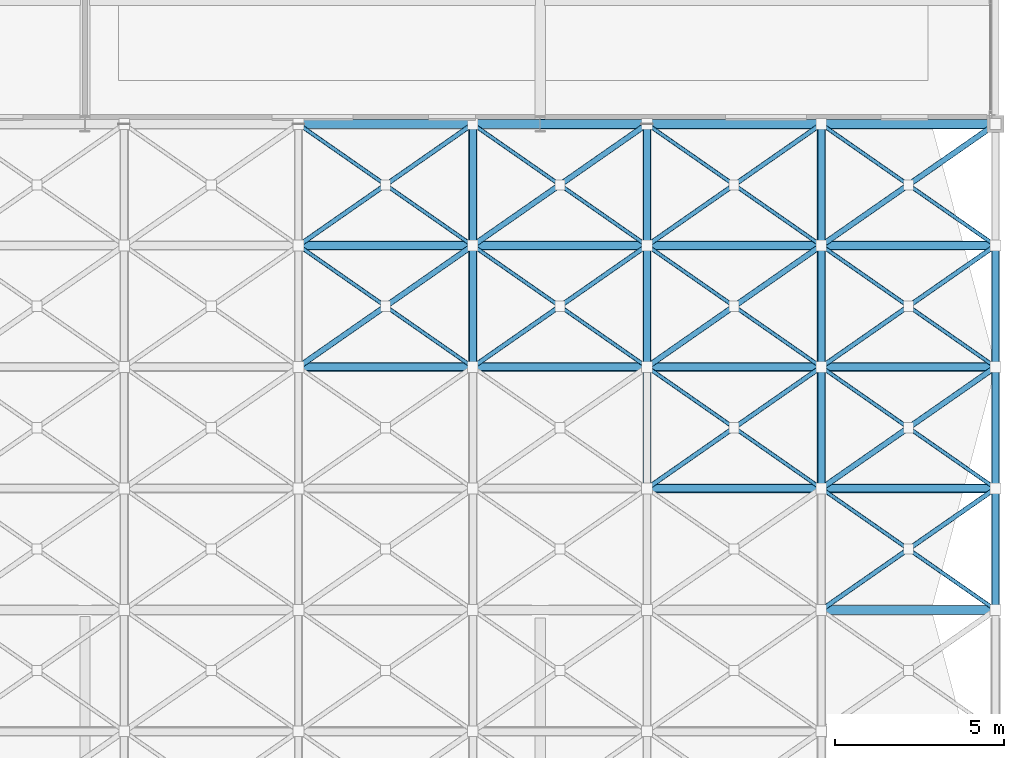
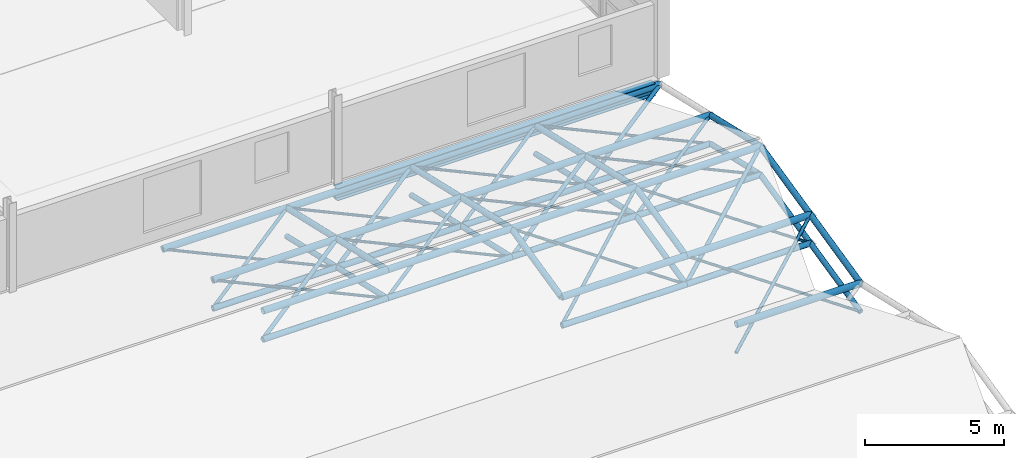
# One storey, part 49 of 110: 79 members, 1 beam.
"""IFC4 building model written with IfcOpenShell, lengths in metres."""

from ifc_helpers import new_model, si_unit, direction, frame, origin, origin_2d, place, context, subcontext, project, spatial, hollow_circle, i_section, extrude, material, material_profile, profile_set, type_object, element, save


model = new_model("IFC4")

# Units and contexts
model_context = context("Model", 3, precision=1e-05, world=origin(), true_north=direction((0.0, 1.0)))
body_context = subcontext(model_context, "Body", "Model", "MODEL_VIEW")
ifc_project = project(units=[si_unit("LENGTHUNIT", "METRE"), si_unit("AREAUNIT", "SQUARE_METRE"), si_unit("VOLUMEUNIT", "CUBIC_METRE"), si_unit("PLANEANGLEUNIT", "RADIAN"), si_unit("MASSUNIT", "GRAM", prefix="KILO")], contexts=[model_context])

# Site, building, storey
site_placement = place(None, origin())
site = spatial("IfcSite", under=ifc_project, at=site_placement, CompositionType="ELEMENT")
building_placement = place(site_placement, origin())
building = spatial("IfcBuilding", under=site, at=building_placement, Name="Tamarisk Ironworks Central Station", CompositionType="ELEMENT")
storey_placement = place(building_placement, frame((0.0, 0.0, 17.39990234375)))
storey = spatial("IfcBuildingStorey", under=building, at=storey_placement, Name="L03", CompositionType="ELEMENT", Elevation=17.39990234375)

# Beam
ifc_material_1 = material(Name="Structural steel S355J2", Category="steel")
ifc_material_profile_1 = material_profile(ifc_material_1, i_section(OverallWidth=0.300048828125, OverallDepth=0.5400390625, WebThickness=0.012451171875, FlangeThickness=0.02392578125, at=origin_2d()), Name="HEA 550")
ifc_profile_set_1 = profile_set([ifc_material_profile_1], Name="Structural steel S355J2")
beam_type = type_object("IfcBeamType", Name="BM-G04", PredefinedType="BEAM", material=ifc_profile_set_1)
beam_placement = place(storey_placement, frame((166.50390625, 79.199951171875, -0.52001953125), z_axis=(1.0, 0.0, 0.0), x_axis=(0.0, 1.0, 0.0)))
element("IfcBeam", 1, at=beam_placement, inside=storey, type_object=beam_type, Name="L03 primary girder X-0631", PredefinedType="BEAM", context=body_context, shape_type="SweptSolid", body=[
    extrude(i_section(OverallWidth=0.300048828125, OverallDepth=0.5400390625, WebThickness=0.012451171875, FlangeThickness=0.02392578125, at=origin_2d()), origin(), (0.0, 0.0, 1.0), 13.2080078125),
])

# Members
ifc_material_2 = material(Name="Structural steel S355J2H", Category="steel")
ifc_material_profile_2 = material_profile(ifc_material_2, hollow_circle(Radius=0.136474609375, WallThickness=0.012451171875, at=origin_2d()), Name="CHS 273x12.5")
ifc_profile_set_2 = profile_set([ifc_material_profile_2], Name="Structural steel S355J2H")
member_type_1 = type_object("IfcMemberType", Name="MB-SFC01", PredefinedType="CHORD", material=ifc_profile_set_2)
member_1_placement = place(storey_placement, frame((174.833251953125, 64.800048828125, -0.469970703125), z_axis=(1.0, 0.0, 0.0), x_axis=(0.0, 1.0, 0.0)))
element("IfcMember", 2, at=member_1_placement, inside=storey, type_object=member_type_1, Name="Train shed space-frame top chord 1678", PredefinedType="CHORD", context=body_context, shape_type="SweptSolid", body=[
    extrude(hollow_circle(Radius=0.136474609375, WallThickness=0.012451171875, at=origin_2d()), origin(), (0.0, 0.0, 1.0), 5.166748046875),
])
member_2_placement = place(storey_placement, frame((169.666748046875, 68.39990234375, 0.35498046875), z_axis=(1.0, 0.0, 0.0), x_axis=(0.0, 1.0, 0.0)))
element("IfcMember", 3, at=member_2_placement, inside=storey, type_object=member_type_1, Name="Train shed space-frame top chord 1925", PredefinedType="CHORD", context=body_context, shape_type="SweptSolid", body=[
    extrude(hollow_circle(Radius=0.136474609375, WallThickness=0.012451171875, at=origin_2d()), origin(), (0.0, 0.0, 1.0), 5.16650390625),
])
for number, where, z_axis, x_axis, name in (
    (4, (174.833251953125, 68.39990234375, 0.35498046875), (1.0, 0.0, 0.0), (0.0, 1.0, 0.0), "Train shed space-frame top chord 1926"),
    (5, (159.333251953125, 72.0, 1.18017578125), (1.0, 0.0, 0.0), (0.0, 1.0, 0.0), "Train shed space-frame top chord 1935"),
    (6, (164.5, 72.0, 1.18017578125), (1.0, 0.0, 0.0), (0.0, 1.0, 0.0), "Train shed space-frame top chord 1936"),
):
    element("IfcMember", number, at=place(storey_placement, frame(where, z_axis=z_axis, x_axis=x_axis)), inside=storey, type_object=member_type_1, Name=name, PredefinedType="CHORD", context=body_context, shape_type="SweptSolid", body=[
        extrude(hollow_circle(Radius=0.136474609375, WallThickness=0.012451171875, at=origin_2d()), origin(), (0.0, 0.0, 1.0), 5.166748046875),
    ])
member_3_placement = place(storey_placement, frame((169.666748046875, 72.0, 1.18017578125), z_axis=(1.0, 0.0, 0.0), x_axis=(0.0, 1.0, 0.0)))
element("IfcMember", 7, at=member_3_placement, inside=storey, type_object=member_type_1, Name="Train shed space-frame top chord 1937", PredefinedType="CHORD", context=body_context, shape_type="SweptSolid", body=[
    extrude(hollow_circle(Radius=0.136474609375, WallThickness=0.012451171875, at=origin_2d()), origin(), (0.0, 0.0, 1.0), 5.16650390625),
])
for number, where, z_axis, x_axis, name in (
    (8, (174.833251953125, 72.0, 1.18017578125), (1.0, 0.0, 0.0), (0.0, 1.0, 0.0), "Train shed space-frame top chord 1938"),
    (9, (159.333251953125, 75.60009765625, 0.35498046875), (1.0, 0.0, 0.0), (0.0, 1.0, 0.0), "Train shed space-frame top chord 1947"),
    (10, (164.5, 75.60009765625, 0.35498046875), (1.0, 0.0, 0.0), (0.0, 1.0, 0.0), "Train shed space-frame top chord 1948"),
):
    element("IfcMember", number, at=place(storey_placement, frame(where, z_axis=z_axis, x_axis=x_axis)), inside=storey, type_object=member_type_1, Name=name, PredefinedType="CHORD", context=body_context, shape_type="SweptSolid", body=[
        extrude(hollow_circle(Radius=0.136474609375, WallThickness=0.012451171875, at=origin_2d()), origin(), (0.0, 0.0, 1.0), 5.166748046875),
    ])
member_4_placement = place(storey_placement, frame((169.666748046875, 75.60009765625, 0.35498046875), z_axis=(1.0, 0.0, 0.0), x_axis=(0.0, 1.0, 0.0)))
element("IfcMember", 11, at=member_4_placement, inside=storey, type_object=member_type_1, Name="Train shed space-frame top chord 1949", PredefinedType="CHORD", context=body_context, shape_type="SweptSolid", body=[
    extrude(hollow_circle(Radius=0.136474609375, WallThickness=0.012451171875, at=origin_2d()), origin(), (0.0, 0.0, 1.0), 5.16650390625),
])
for number, where, z_axis, x_axis, name in (
    (12, (174.833251953125, 75.60009765625, 0.35498046875), (1.0, 0.0, 0.0), (0.0, 1.0, 0.0), "Train shed space-frame top chord 1950"),
    (13, (159.333251953125, 79.199951171875, -0.469970703125), (1.0, 0.0, 0.0), (0.0, 1.0, 0.0), "Train shed space-frame top chord 1959"),
    (14, (164.5, 79.199951171875, -0.469970703125), (1.0, 0.0, 0.0), (0.0, 1.0, 0.0), "Train shed space-frame top chord 1960"),
):
    element("IfcMember", number, at=place(storey_placement, frame(where, z_axis=z_axis, x_axis=x_axis)), inside=storey, type_object=member_type_1, Name=name, PredefinedType="CHORD", context=body_context, shape_type="SweptSolid", body=[
        extrude(hollow_circle(Radius=0.136474609375, WallThickness=0.012451171875, at=origin_2d()), origin(), (0.0, 0.0, 1.0), 5.166748046875),
    ])
member_5_placement = place(storey_placement, frame((169.666748046875, 79.199951171875, -0.469970703125), z_axis=(1.0, 0.0, 0.0), x_axis=(0.0, 1.0, 0.0)))
element("IfcMember", 15, at=member_5_placement, inside=storey, type_object=member_type_1, Name="Train shed space-frame top chord 1961", PredefinedType="CHORD", context=body_context, shape_type="SweptSolid", body=[
    extrude(hollow_circle(Radius=0.136474609375, WallThickness=0.012451171875, at=origin_2d()), origin(), (0.0, 0.0, 1.0), 5.16650390625),
])
member_6_placement = place(storey_placement, frame((174.833251953125, 79.199951171875, -0.469970703125), z_axis=(1.0, 0.0, 0.0), x_axis=(0.0, 1.0, 0.0)))
element("IfcMember", 16, at=member_6_placement, inside=storey, type_object=member_type_1, Name="Train shed space-frame top chord 1962", PredefinedType="CHORD", context=body_context, shape_type="SweptSolid", body=[
    extrude(hollow_circle(Radius=0.136474609375, WallThickness=0.012451171875, at=origin_2d()), origin(), (0.0, 0.0, 1.0), 5.166748046875),
])
ifc_material_profile_3 = material_profile(ifc_material_2, hollow_circle(Radius=0.122314453125, WallThickness=0.012451171875, at=origin_2d()), Name="CHS 244.5x12.5")
ifc_profile_set_3 = profile_set([ifc_material_profile_3], Name="Structural steel S355J2H")
member_type_2 = type_object("IfcMemberType", Name="MB-SFC02", PredefinedType="CHORD", material=ifc_profile_set_3)
member_7_placement = place(storey_placement, frame((169.666748046875, 68.39990234375, -0.89501953125), z_axis=(1.0, 0.0, 0.0), x_axis=(0.0, 1.0, 0.0)))
element("IfcMember", 17, at=member_7_placement, inside=storey, type_object=member_type_2, Name="Train shed space-frame bottom chord 1837", PredefinedType="CHORD", context=body_context, shape_type="SweptSolid", body=[
    extrude(hollow_circle(Radius=0.122314453125, WallThickness=0.012451171875, at=origin_2d()), origin(), (0.0, 0.0, 1.0), 5.16650390625),
])
for number, where, z_axis, x_axis, name in (
    (18, (174.833251953125, 68.39990234375, -0.89501953125), (1.0, 0.0, 0.0), (0.0, 1.0, 0.0), "Train shed space-frame bottom chord 1838"),
    (19, (159.333251953125, 72.0, -0.06982421875), (1.0, 0.0, 0.0), (0.0, 1.0, 0.0), "Train shed space-frame bottom chord 1847"),
    (20, (164.5, 72.0, -0.06982421875), (1.0, 0.0, 0.0), (0.0, 1.0, 0.0), "Train shed space-frame bottom chord 1848"),
):
    element("IfcMember", number, at=place(storey_placement, frame(where, z_axis=z_axis, x_axis=x_axis)), inside=storey, type_object=member_type_2, Name=name, PredefinedType="CHORD", context=body_context, shape_type="SweptSolid", body=[
        extrude(hollow_circle(Radius=0.122314453125, WallThickness=0.012451171875, at=origin_2d()), origin(), (0.0, 0.0, 1.0), 5.166748046875),
    ])
member_8_placement = place(storey_placement, frame((169.666748046875, 72.0, -0.06982421875), z_axis=(1.0, 0.0, 0.0), x_axis=(0.0, 1.0, 0.0)))
element("IfcMember", 21, at=member_8_placement, inside=storey, type_object=member_type_2, Name="Train shed space-frame bottom chord 1849", PredefinedType="CHORD", context=body_context, shape_type="SweptSolid", body=[
    extrude(hollow_circle(Radius=0.122314453125, WallThickness=0.012451171875, at=origin_2d()), origin(), (0.0, 0.0, 1.0), 5.16650390625),
])
for number, where, z_axis, x_axis, name in (
    (22, (174.833251953125, 72.0, -0.06982421875), (1.0, 0.0, 0.0), (0.0, 1.0, 0.0), "Train shed space-frame bottom chord 1850"),
    (23, (159.333251953125, 75.60009765625, -0.89501953125), (1.0, 0.0, 0.0), (0.0, 1.0, 0.0), "Train shed space-frame bottom chord 1859"),
    (24, (164.5, 75.60009765625, -0.89501953125), (1.0, 0.0, 0.0), (0.0, 1.0, 0.0), "Train shed space-frame bottom chord 1860"),
):
    element("IfcMember", number, at=place(storey_placement, frame(where, z_axis=z_axis, x_axis=x_axis)), inside=storey, type_object=member_type_2, Name=name, PredefinedType="CHORD", context=body_context, shape_type="SweptSolid", body=[
        extrude(hollow_circle(Radius=0.122314453125, WallThickness=0.012451171875, at=origin_2d()), origin(), (0.0, 0.0, 1.0), 5.166748046875),
    ])
member_9_placement = place(storey_placement, frame((169.666748046875, 75.60009765625, -0.89501953125), z_axis=(1.0, 0.0, 0.0), x_axis=(0.0, 1.0, 0.0)))
element("IfcMember", 25, at=member_9_placement, inside=storey, type_object=member_type_2, Name="Train shed space-frame bottom chord 1861", PredefinedType="CHORD", context=body_context, shape_type="SweptSolid", body=[
    extrude(hollow_circle(Radius=0.122314453125, WallThickness=0.012451171875, at=origin_2d()), origin(), (0.0, 0.0, 1.0), 5.16650390625),
])
member_10_placement = place(storey_placement, frame((174.833251953125, 75.60009765625, -0.89501953125), z_axis=(1.0, 0.0, 0.0), x_axis=(0.0, 1.0, 0.0)))
element("IfcMember", 26, at=member_10_placement, inside=storey, type_object=member_type_2, Name="Train shed space-frame bottom chord 1862", PredefinedType="CHORD", context=body_context, shape_type="SweptSolid", body=[
    extrude(hollow_circle(Radius=0.122314453125, WallThickness=0.012451171875, at=origin_2d()), origin(), (0.0, 0.0, 1.0), 5.166748046875),
])
member_11_placement = place(storey_placement, frame((164.5, 72.0, 1.18017578125), z_axis=(0.0, 0.974722123001, -0.223420641241), x_axis=(-1.0, 0.0, 0.0)))
element("IfcMember", 27, at=member_11_placement, inside=storey, type_object=member_type_2, Name="Train shed space-frame top transverse chord 2001", PredefinedType="CHORD", context=body_context, shape_type="SweptSolid", body=[
    extrude(hollow_circle(Radius=0.122314453125, WallThickness=0.012451171875, at=origin_2d()), origin(), (0.0, 0.0, 1.0), 3.693359375),
])
member_12_placement = place(storey_placement, frame((164.5, 75.60009765625, 0.35498046875), z_axis=(0.0, 0.974733218107, -0.223372230857), x_axis=(-1.0, 0.0, 0.0)))
element("IfcMember", 28, at=member_12_placement, inside=storey, type_object=member_type_2, Name="Train shed space-frame top transverse chord 2002", PredefinedType="CHORD", context=body_context, shape_type="SweptSolid", body=[
    extrude(hollow_circle(Radius=0.122314453125, WallThickness=0.012451171875, at=origin_2d()), origin(), (0.0, 0.0, 1.0), 3.693115234375),
])
for number, where, z_axis, x_axis, name in (
    (29, (169.666748046875, 68.39990234375, 0.35498046875), (0.0, 0.974722123001, 0.223420641241), (-1.0, 0.0, 0.0), "Train shed space-frame top transverse chord 2004"),
    (30, (169.666748046875, 72.0, 1.18017578125), (0.0, 0.974722123001, -0.223420641241), (-1.0, 0.0, 0.0), "Train shed space-frame top transverse chord 2005"),
):
    element("IfcMember", number, at=place(storey_placement, frame(where, z_axis=z_axis, x_axis=x_axis)), inside=storey, type_object=member_type_2, Name=name, PredefinedType="CHORD", context=body_context, shape_type="SweptSolid", body=[
        extrude(hollow_circle(Radius=0.122314453125, WallThickness=0.012451171875, at=origin_2d()), origin(), (0.0, 0.0, 1.0), 3.693359375),
    ])
member_13_placement = place(storey_placement, frame((169.666748046875, 75.60009765625, 0.35498046875), z_axis=(0.0, 0.974733218107, -0.223372230857), x_axis=(-1.0, 0.0, 0.0)))
element("IfcMember", 31, at=member_13_placement, inside=storey, type_object=member_type_2, Name="Train shed space-frame top transverse chord 2006", PredefinedType="CHORD", context=body_context, shape_type="SweptSolid", body=[
    extrude(hollow_circle(Radius=0.122314453125, WallThickness=0.012451171875, at=origin_2d()), origin(), (0.0, 0.0, 1.0), 3.693115234375),
])
for number, where, z_axis, x_axis, name in (
    (32, (174.833251953125, 68.39990234375, 0.35498046875), (0.0, 0.974722123001, 0.223420641241), (-1.0, 0.0, 0.0), "Train shed space-frame top transverse chord 2008"),
    (33, (174.833251953125, 72.0, 1.18017578125), (0.0, 0.974722123001, -0.223420641241), (-1.0, 0.0, 0.0), "Train shed space-frame top transverse chord 2009"),
):
    element("IfcMember", number, at=place(storey_placement, frame(where, z_axis=z_axis, x_axis=x_axis)), inside=storey, type_object=member_type_2, Name=name, PredefinedType="CHORD", context=body_context, shape_type="SweptSolid", body=[
        extrude(hollow_circle(Radius=0.122314453125, WallThickness=0.012451171875, at=origin_2d()), origin(), (0.0, 0.0, 1.0), 3.693359375),
    ])
for number, where, z_axis, x_axis, name in (
    (34, (174.833251953125, 75.60009765625, 0.35498046875), (0.0, 0.974733218107, -0.223372230857), (-1.0, 0.0, 0.0), "Train shed space-frame top transverse chord 2010"),
    (35, (180.0, 64.800048828125, -0.469970703125), (0.0, 0.974733218107, 0.223372230857), (-1.0, 0.0, 0.0), "Train shed space-frame top transverse chord 2011"),
):
    element("IfcMember", number, at=place(storey_placement, frame(where, z_axis=z_axis, x_axis=x_axis)), inside=storey, type_object=member_type_2, Name=name, PredefinedType="CHORD", context=body_context, shape_type="SweptSolid", body=[
        extrude(hollow_circle(Radius=0.122314453125, WallThickness=0.012451171875, at=origin_2d()), origin(), (0.0, 0.0, 1.0), 3.693115234375),
    ])
for number, where, z_axis, x_axis, name in (
    (36, (180.0, 68.39990234375, 0.35498046875), (0.0, 0.974722123001, 0.223420641241), (-1.0, 0.0, 0.0), "Train shed space-frame top transverse chord 2012"),
    (37, (180.0, 72.0, 1.18017578125), (0.0, 0.974722123001, -0.223420641241), (-1.0, 0.0, 0.0), "Train shed space-frame top transverse chord 2013"),
):
    element("IfcMember", number, at=place(storey_placement, frame(where, z_axis=z_axis, x_axis=x_axis)), inside=storey, type_object=member_type_2, Name=name, PredefinedType="CHORD", context=body_context, shape_type="SweptSolid", body=[
        extrude(hollow_circle(Radius=0.122314453125, WallThickness=0.012451171875, at=origin_2d()), origin(), (0.0, 0.0, 1.0), 3.693359375),
    ])
ifc_material_profile_4 = material_profile(ifc_material_2, hollow_circle(Radius=0.109619140625, WallThickness=0.010009765625, at=origin_2d()), Name="CHS 219.1x10")
ifc_profile_set_4 = profile_set([ifc_material_profile_4], Name="Structural steel S355J2H")
member_type_3 = type_object("IfcMemberType", Name="MB-SFC03", PredefinedType="CHORD", material=ifc_profile_set_4)
member_14_placement = place(storey_placement, frame((164.5, 72.0, -0.06982421875), z_axis=(0.0, 0.974722123001, -0.223420641241), x_axis=(-1.0, 0.0, 0.0)))
element("IfcMember", 38, at=member_14_placement, inside=storey, type_object=member_type_3, Name="Train shed space-frame transverse chord 1901", PredefinedType="CHORD", context=body_context, shape_type="SweptSolid", body=[
    extrude(hollow_circle(Radius=0.109619140625, WallThickness=0.010009765625, at=origin_2d()), origin(), (0.0, 0.0, 1.0), 3.693359375),
])
member_15_placement = place(storey_placement, frame((164.5, 75.60009765625, -0.89501953125), z_axis=(0.0, 0.974733218107, -0.223372230857), x_axis=(-1.0, 0.0, 0.0)))
element("IfcMember", 39, at=member_15_placement, inside=storey, type_object=member_type_3, Name="Train shed space-frame transverse chord 1902", PredefinedType="CHORD", context=body_context, shape_type="SweptSolid", body=[
    extrude(hollow_circle(Radius=0.109619140625, WallThickness=0.010009765625, at=origin_2d()), origin(), (0.0, 0.0, 1.0), 3.693115234375),
])
member_16_placement = place(storey_placement, frame((169.666748046875, 72.0, -0.06982421875), z_axis=(0.0, 0.974722123001, -0.223420641241), x_axis=(-1.0, 0.0, 0.0)))
element("IfcMember", 40, at=member_16_placement, inside=storey, type_object=member_type_3, Name="Train shed space-frame transverse chord 1905", PredefinedType="CHORD", context=body_context, shape_type="SweptSolid", body=[
    extrude(hollow_circle(Radius=0.109619140625, WallThickness=0.010009765625, at=origin_2d()), origin(), (0.0, 0.0, 1.0), 3.693359375),
])
member_17_placement = place(storey_placement, frame((169.666748046875, 75.60009765625, -0.89501953125), z_axis=(0.0, 0.974733218107, -0.223372230857), x_axis=(-1.0, 0.0, 0.0)))
element("IfcMember", 41, at=member_17_placement, inside=storey, type_object=member_type_3, Name="Train shed space-frame transverse chord 1906", PredefinedType="CHORD", context=body_context, shape_type="SweptSolid", body=[
    extrude(hollow_circle(Radius=0.109619140625, WallThickness=0.010009765625, at=origin_2d()), origin(), (0.0, 0.0, 1.0), 3.693115234375),
])
for number, where, z_axis, x_axis, name in (
    (42, (174.833251953125, 68.39990234375, -0.89501953125), (0.0, 0.974722123001, 0.223420641241), (-1.0, 0.0, 0.0), "Train shed space-frame transverse chord 1908"),
    (43, (174.833251953125, 72.0, -0.06982421875), (0.0, 0.974722123001, -0.223420641241), (-1.0, 0.0, 0.0), "Train shed space-frame transverse chord 1909"),
):
    element("IfcMember", number, at=place(storey_placement, frame(where, z_axis=z_axis, x_axis=x_axis)), inside=storey, type_object=member_type_3, Name=name, PredefinedType="CHORD", context=body_context, shape_type="SweptSolid", body=[
        extrude(hollow_circle(Radius=0.109619140625, WallThickness=0.010009765625, at=origin_2d()), origin(), (0.0, 0.0, 1.0), 3.693359375),
    ])
for number, where, z_axis, x_axis, name in (
    (44, (174.833251953125, 75.60009765625, -0.89501953125), (0.0, 0.974733218107, -0.223372230857), (-1.0, 0.0, 0.0), "Train shed space-frame transverse chord 1910"),
    (45, (180.0, 64.800048828125, -1.719970703125), (0.0, 0.974733218107, 0.223372230857), (-1.0, 0.0, 0.0), "Train shed space-frame transverse chord 1911"),
):
    element("IfcMember", number, at=place(storey_placement, frame(where, z_axis=z_axis, x_axis=x_axis)), inside=storey, type_object=member_type_3, Name=name, PredefinedType="CHORD", context=body_context, shape_type="SweptSolid", body=[
        extrude(hollow_circle(Radius=0.109619140625, WallThickness=0.010009765625, at=origin_2d()), origin(), (0.0, 0.0, 1.0), 3.693115234375),
    ])
for number, where, z_axis, x_axis, name in (
    (46, (180.0, 68.39990234375, -0.89501953125), (0.0, 0.974722123001, 0.223420641241), (-1.0, 0.0, 0.0), "Train shed space-frame transverse chord 1912"),
    (47, (180.0, 72.0, -0.06982421875), (0.0, 0.974722123001, -0.223420641241), (-1.0, 0.0, 0.0), "Train shed space-frame transverse chord 1913"),
):
    element("IfcMember", number, at=place(storey_placement, frame(where, z_axis=z_axis, x_axis=x_axis)), inside=storey, type_object=member_type_3, Name=name, PredefinedType="CHORD", context=body_context, shape_type="SweptSolid", body=[
        extrude(hollow_circle(Radius=0.109619140625, WallThickness=0.010009765625, at=origin_2d()), origin(), (0.0, 0.0, 1.0), 3.693359375),
    ])
ifc_material_profile_5 = material_profile(ifc_material_2, hollow_circle(Radius=0.084228515625, WallThickness=0.010009765625, at=origin_2d()), Name="CHS 168.3x10")
ifc_profile_set_5 = profile_set([ifc_material_profile_5], Name="Structural steel S355J2H")
member_type_4 = type_object("IfcMemberType", Name="MB-SFD01", PredefinedType="BRACE", material=ifc_profile_set_5)
for number, where, z_axis, x_axis, name in (
    (48, (159.333251953125, 72.0, -0.06982421875), (0.818609881232, 0.570392728283, 0.067305258864), (-0.571689073201, 0.82047035509, 0.0), "Train shed space-frame diagonal 2083"),
    (49, (164.5, 75.60009765625, -0.89501953125), (0.818625810636, 0.570365145671, 0.067345250499), (-0.57166297408, 0.820488539875, 0.0), "Train shed space-frame diagonal 2093"),
    (50, (169.666748046875, 72.0, -0.06982421875), (0.81859712056, 0.570410790085, 0.067307390123), (-0.571707258436, 0.820457683645, 0.0), "Train shed space-frame diagonal 2099"),
):
    element("IfcMember", number, at=place(storey_placement, frame(where, z_axis=z_axis, x_axis=x_axis)), inside=storey, type_object=member_type_4, Name=name, PredefinedType="BRACE", context=body_context, shape_type="SweptSolid", body=[
        extrude(hollow_circle(Radius=0.084228515625, WallThickness=0.010009765625, at=origin_2d()), origin(), (0.0, 0.0, 1.0), 6.3115234375),
    ])
member_18_placement = place(storey_placement, frame((174.833251953125, 68.39990234375, -0.89501953125), z_axis=(0.779249385031, 0.542967038306, 0.312981135603), x_axis=(-0.571689073201, 0.82047035509, 0.0)))
element("IfcMember", 51, at=member_18_placement, inside=storey, type_object=member_type_4, Name="Train shed space-frame diagonal 2105", PredefinedType="BRACE", context=body_context, shape_type="SweptSolid", body=[
    extrude(hollow_circle(Radius=0.084228515625, WallThickness=0.010009765625, at=origin_2d()), origin(), (0.0, 0.0, 1.0), 6.63037109375),
])
member_19_placement = place(storey_placement, frame((174.833251953125, 75.60009765625, -0.89501953125), z_axis=(0.818625810636, 0.570365145671, 0.067345250499), x_axis=(-0.57166297408, 0.820488539875, 0.0)))
element("IfcMember", 52, at=member_19_placement, inside=storey, type_object=member_type_4, Name="Train shed space-frame diagonal 2109", PredefinedType="BRACE", context=body_context, shape_type="SweptSolid", body=[
    extrude(hollow_circle(Radius=0.084228515625, WallThickness=0.010009765625, at=origin_2d()), origin(), (0.0, 0.0, 1.0), 6.3115234375),
])
ifc_material_profile_6 = material_profile(ifc_material_2, hollow_circle(Radius=0.06982421875, WallThickness=0.008056640625, at=origin_2d()), Name="CHS 139.7x8")
ifc_profile_set_6 = profile_set([ifc_material_profile_6], Name="Structural steel S355J2H")
member_type_5 = type_object("IfcMemberType", Name="MB-SFD02", PredefinedType="BRACE", material=ifc_profile_set_6)
for number, where, z_axis, x_axis, name in (
    (53, (159.333251953125, 75.60009765625, -0.89501953125), (0.818625810636, 0.570365145671, 0.067345250499), (-0.57166297408, 0.820488539875, 0.0), "Train shed space-frame diagonal 2085"),
    (54, (164.5, 72.0, -0.06982421875), (0.818609881232, 0.570392728283, 0.067305258864), (-0.571689073201, 0.82047035509, 0.0), "Train shed space-frame diagonal 2091"),
):
    element("IfcMember", number, at=place(storey_placement, frame(where, z_axis=z_axis, x_axis=x_axis)), inside=storey, type_object=member_type_5, Name=name, PredefinedType="BRACE", context=body_context, shape_type="SweptSolid", body=[
        extrude(hollow_circle(Radius=0.06982421875, WallThickness=0.008056640625, at=origin_2d()), origin(), (0.0, 0.0, 1.0), 6.3115234375),
    ])
member_20_placement = place(storey_placement, frame((169.666748046875, 68.39990234375, -0.89501953125), z_axis=(0.779234922088, 0.542982617952, 0.31299011614), x_axis=(-0.571707258436, 0.820457683645, 0.0)))
element("IfcMember", 55, at=member_20_placement, inside=storey, type_object=member_type_5, Name="Train shed space-frame diagonal 2097", PredefinedType="BRACE", context=body_context, shape_type="SweptSolid", body=[
    extrude(hollow_circle(Radius=0.06982421875, WallThickness=0.008056640625, at=origin_2d()), origin(), (0.0, 0.0, 1.0), 6.630126953125),
])
member_21_placement = place(storey_placement, frame((169.666748046875, 75.60009765625, -0.89501953125), z_axis=(0.818613050724, 0.570383207302, 0.067347383107), x_axis=(-0.571681159291, 0.820475869305, 0.0)))
element("IfcMember", 56, at=member_21_placement, inside=storey, type_object=member_type_5, Name="Train shed space-frame diagonal 2101", PredefinedType="BRACE", context=body_context, shape_type="SweptSolid", body=[
    extrude(hollow_circle(Radius=0.06982421875, WallThickness=0.008056640625, at=origin_2d()), origin(), (0.0, 0.0, 1.0), 6.311279296875),
])
member_22_placement = place(storey_placement, frame((174.833251953125, 64.800048828125, -1.719970703125), z_axis=(0.779273944842, 0.542947328672, 0.312954177442), x_axis=(-0.57166297408, 0.820488539875, 0.0)))
element("IfcMember", 57, at=member_22_placement, inside=storey, type_object=member_type_5, Name="Train shed space-frame diagonal 2103", PredefinedType="BRACE", context=body_context, shape_type="SweptSolid", body=[
    extrude(hollow_circle(Radius=0.06982421875, WallThickness=0.008056640625, at=origin_2d()), origin(), (0.0, 0.0, 1.0), 6.630126953125),
])
member_23_placement = place(storey_placement, frame((174.833251953125, 72.0, -0.06982421875), z_axis=(0.818609881232, 0.570392728283, 0.067305258864), x_axis=(-0.571689073201, 0.82047035509, 0.0)))
element("IfcMember", 58, at=member_23_placement, inside=storey, type_object=member_type_5, Name="Train shed space-frame diagonal 2107", PredefinedType="BRACE", context=body_context, shape_type="SweptSolid", body=[
    extrude(hollow_circle(Radius=0.06982421875, WallThickness=0.008056640625, at=origin_2d()), origin(), (0.0, 0.0, 1.0), 6.3115234375),
])
ifc_material_profile_7 = material_profile(ifc_material_2, hollow_circle(Radius=0.05712890625, WallThickness=0.00634765625, at=origin_2d()), Name="CHS 114.3x6.3")
ifc_profile_set_7 = profile_set([ifc_material_profile_7], Name="Structural steel S355J2H")
member_type_6 = type_object("IfcMemberType", Name="MB-SFD03", PredefinedType="BRACE", material=ifc_profile_set_7)
for number, where, z_axis, x_axis, name in (
    (59, (164.5, 72.0, -0.06982421875), (-0.81862545828, 0.570368646704, 0.067319877544), (-0.571665501983, -0.820486778591, 0.0), "Train shed space-frame split counter-diagonal lower 2084"),
    (60, (161.87158203125, 73.831298828125, 0.146240234375), (-0.818588694614, 0.570421765171, 0.067316854275), (-0.571718624339, -0.820449763596, 0.0), "Train shed space-frame split counter-diagonal upper 2084"),
    (61, (164.5, 75.60009765625, -0.89501953125), (-0.818621116616, 0.570365621695, 0.067398256788), (-0.571665501983, -0.820486778591, 0.0), "Train shed space-frame split counter-diagonal lower 2086"),
    (62, (161.87158203125, 77.431396484375, -0.6787109375), (-0.81862545828, 0.570368646704, 0.067319877544), (-0.571665501983, -0.820486778591, 0.0), "Train shed space-frame split counter-diagonal upper 2086"),
    (63, (169.666748046875, 72.0, -0.06982421875), (-0.81862545828, 0.570368646704, 0.067319877544), (-0.571665501983, -0.820486778591, 0.0), "Train shed space-frame split counter-diagonal lower 2092"),
    (64, (167.038330078125, 73.831298828125, 0.146240234375), (-0.818588694614, 0.570421765171, 0.067316854275), (-0.571718624339, -0.820449763596, 0.0), "Train shed space-frame split counter-diagonal upper 2092"),
    (65, (169.666748046875, 75.60009765625, -0.89501953125), (-0.818621116616, 0.570365621695, 0.067398256788), (-0.571665501983, -0.820486778591, 0.0), "Train shed space-frame split counter-diagonal lower 2094"),
    (66, (167.038330078125, 77.431396484375, -0.6787109375), (-0.81862545828, 0.570368646704, 0.067319877544), (-0.571665501983, -0.820486778591, 0.0), "Train shed space-frame split counter-diagonal upper 2094"),
):
    element("IfcMember", number, at=place(storey_placement, frame(where, z_axis=z_axis, x_axis=x_axis)), inside=storey, type_object=member_type_6, Name=name, PredefinedType="BRACE", context=body_context, shape_type="SweptSolid", body=[
        extrude(hollow_circle(Radius=0.05712890625, WallThickness=0.00634765625, at=origin_2d()), origin(), (0.0, 0.0, 1.0), 3.100830078125),
    ])
for number, where, z_axis, x_axis, name in (
    (67, (174.833251953125, 68.39990234375, -0.89501953125), (-0.779202006797, 0.5430075686, 0.313028773514), (-0.571741198525, -0.820434032637, 0.0), "Train shed space-frame split counter-diagonal lower 2098"),
    (68, (172.20703125, 70.22998046875, 0.159912109375), (-0.779251958926, 0.542967486998, 0.312973948712), (-0.571688120068, -0.820471019216, 0.0), "Train shed space-frame split counter-diagonal upper 2098"),
):
    element("IfcMember", number, at=place(storey_placement, frame(where, z_axis=z_axis, x_axis=x_axis)), inside=storey, type_object=member_type_6, Name=name, PredefinedType="BRACE", context=body_context, shape_type="SweptSolid", body=[
        extrude(hollow_circle(Radius=0.05712890625, WallThickness=0.00634765625, at=origin_2d()), origin(), (0.0, 0.0, 1.0), 3.260009765625),
    ])
for number, where, z_axis, x_axis, name in (
    (69, (174.833251953125, 72.0, -0.06982421875), (-0.81862545828, 0.570368646704, 0.067319877544), (-0.571665501983, -0.820486778591, 0.0), "Train shed space-frame split counter-diagonal lower 2100"),
    (70, (172.205078125, 73.831298828125, 0.146240234375), (-0.818588694614, 0.570421765171, 0.067316854275), (-0.571718624339, -0.820449763596, 0.0), "Train shed space-frame split counter-diagonal upper 2100"),
    (71, (174.833251953125, 75.60009765625, -0.89501953125), (-0.818621116616, 0.570365621695, 0.067398256788), (-0.571665501983, -0.820486778591, 0.0), "Train shed space-frame split counter-diagonal lower 2102"),
    (72, (172.205078125, 77.431396484375, -0.6787109375), (-0.81862545828, 0.570368646704, 0.067319877544), (-0.571665501983, -0.820486778591, 0.0), "Train shed space-frame split counter-diagonal upper 2102"),
):
    element("IfcMember", number, at=place(storey_placement, frame(where, z_axis=z_axis, x_axis=x_axis)), inside=storey, type_object=member_type_6, Name=name, PredefinedType="BRACE", context=body_context, shape_type="SweptSolid", body=[
        extrude(hollow_circle(Radius=0.05712890625, WallThickness=0.00634765625, at=origin_2d()), origin(), (0.0, 0.0, 1.0), 3.100830078125),
    ])
for number, where, z_axis, x_axis, name in (
    (73, (180.0, 64.800048828125, -1.719970703125), (-0.779251958926, 0.542967486998, 0.312973948712), (-0.571688120068, -0.820471019216, 0.0), "Train shed space-frame split counter-diagonal lower 2104"),
    (74, (177.373779296875, 66.6298828125, -0.665283203125), (-0.779281371438, 0.542935800781, 0.31295568434), (-0.571651135352, -0.820496788203, 0.0), "Train shed space-frame split counter-diagonal upper 2104"),
    (75, (180.0, 68.39990234375, -0.89501953125), (-0.779202006797, 0.5430075686, 0.313028773514), (-0.571741198525, -0.820434032637, 0.0), "Train shed space-frame split counter-diagonal lower 2106"),
    (76, (177.373779296875, 70.22998046875, 0.159912109375), (-0.779281371438, 0.542935800781, 0.31295568434), (-0.571651135352, -0.820496788203, 0.0), "Train shed space-frame split counter-diagonal upper 2106"),
):
    element("IfcMember", number, at=place(storey_placement, frame(where, z_axis=z_axis, x_axis=x_axis)), inside=storey, type_object=member_type_6, Name=name, PredefinedType="BRACE", context=body_context, shape_type="SweptSolid", body=[
        extrude(hollow_circle(Radius=0.05712890625, WallThickness=0.00634765625, at=origin_2d()), origin(), (0.0, 0.0, 1.0), 3.260009765625),
    ])
for number, where, z_axis, x_axis, name in (
    (77, (180.0, 72.0, -0.06982421875), (-0.81862545828, 0.570368646704, 0.067319877544), (-0.571665501983, -0.820486778591, 0.0), "Train shed space-frame split counter-diagonal lower 2108"),
    (78, (177.37158203125, 73.831298828125, 0.146240234375), (-0.818588694614, 0.570421765171, 0.067316854275), (-0.571718624339, -0.820449763596, 0.0), "Train shed space-frame split counter-diagonal upper 2108"),
    (79, (180.0, 75.60009765625, -0.89501953125), (-0.818621116616, 0.570365621695, 0.067398256788), (-0.571665501983, -0.820486778591, 0.0), "Train shed space-frame split counter-diagonal lower 2110"),
    (80, (177.37158203125, 77.431396484375, -0.6787109375), (-0.81862545828, 0.570368646704, 0.067319877544), (-0.571665501983, -0.820486778591, 0.0), "Train shed space-frame split counter-diagonal upper 2110"),
):
    element("IfcMember", number, at=place(storey_placement, frame(where, z_axis=z_axis, x_axis=x_axis)), inside=storey, type_object=member_type_6, Name=name, PredefinedType="BRACE", context=body_context, shape_type="SweptSolid", body=[
        extrude(hollow_circle(Radius=0.05712890625, WallThickness=0.00634765625, at=origin_2d()), origin(), (0.0, 0.0, 1.0), 3.100830078125),
    ])

save(model, "model.ifc")
